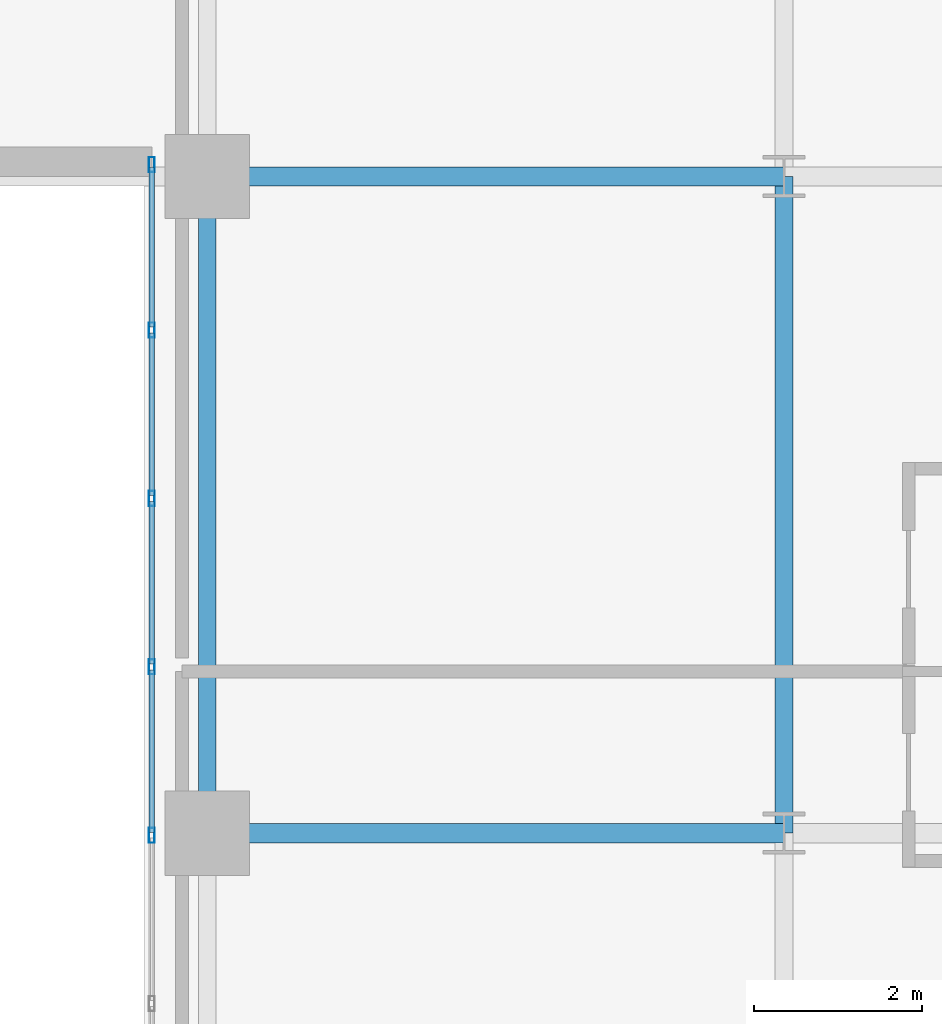
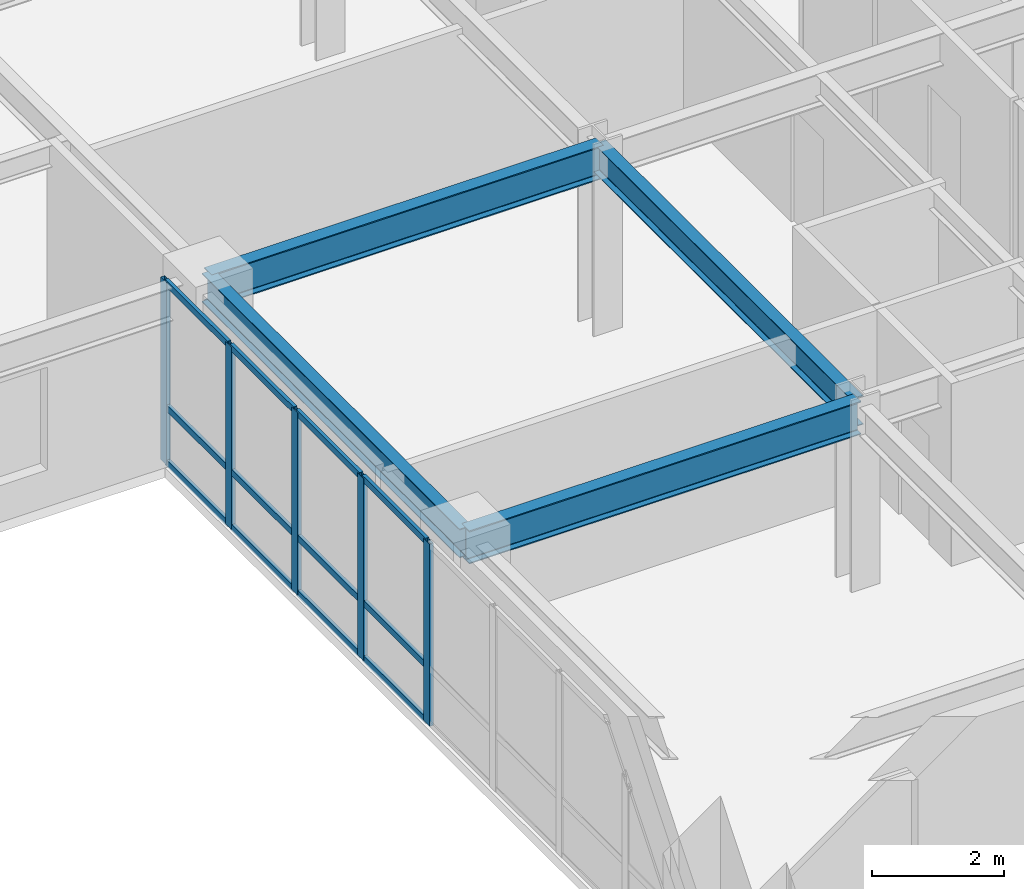
# One storey, part 7 of 16: 17 members, 4 beams, 1 element without a shape of its own.
"""IFC4 building model written with IfcOpenShell, lengths in metres."""

from ifc_helpers import new_model, si_unit, direction, frame, origin, origin_2d, place, context, subcontext, project, spatial, hollow_rectangle, i_section, extrude, source, transform, mapped, material, layer, layer_set, material_profile, profile_set, type_object, type_shapes, element, aggregate, save


model = new_model("IFC4")

# Units and contexts
model_context = context("Model", 3, precision=1e-05, world=origin(), true_north=direction((0.0, 1.0)))
body_context = subcontext(model_context, "Body", "Model", "MODEL_VIEW")
ifc_project = project(units=[si_unit("LENGTHUNIT", "METRE"), si_unit("AREAUNIT", "SQUARE_METRE"), si_unit("VOLUMEUNIT", "CUBIC_METRE"), si_unit("PLANEANGLEUNIT", "RADIAN"), si_unit("MASSUNIT", "GRAM", prefix="KILO")], contexts=[model_context])

# Site, building, storey
site_placement = place(None, origin())
site = spatial("IfcSite", under=ifc_project, at=site_placement, CompositionType="ELEMENT")
building_placement = place(site_placement, origin())
building = spatial("IfcBuilding", under=site, at=building_placement, Name="Tolvann Quenvar Hotel", CompositionType="ELEMENT")
storey_placement = place(building_placement, frame((0.0, 0.0, 63.949951171875)))
storey = spatial("IfcBuildingStorey", under=building, at=storey_placement, Name="L15", CompositionType="ELEMENT", Elevation=63.949951171875)

# Beams
ifc_material_1 = material(Name="Steel Grade 350", Category="steel")
ifc_material_profile_1 = material_profile(ifc_material_1, i_section(OverallWidth=0.22900390625, OverallDepth=0.612060546875, WebThickness=0.011962890625, FlangeThickness=0.01953125, FilletRadius=0.013916015625, at=origin_2d()), Name="610UB125")
ifc_profile_set_1 = profile_set([ifc_material_profile_1], Name="Steel Grade 350")
beam_type_1 = type_object("IfcBeamType", Name="BM_GIRD_610UB125", PredefinedType="BEAM", material=ifc_profile_set_1)
shared_shape_1 = source(origin(), body_context, "Body", "SweptSolid", [
    extrude(i_section(OverallWidth=0.22900390625, OverallDepth=0.612060546875, WebThickness=0.011962890625, FlangeThickness=0.01953125, FilletRadius=0.013916015625, at=origin_2d()), origin(), (0.0, 0.0, 1.0), 6.85009765625),
])
type_shapes(beam_type_1, [shared_shape_1])
for number, where, z_axis, x_axis, name in (
    (1, (34.949951171875, 8.199951171875, 3.06396484375), (1.0, 0.0, 0.0), (0.0, 1.0, 0.0), "BM-L15-EW-3-F3-H3"),
    (2, (34.949951171875, 16.0, 3.06396484375), (1.0, 0.0, 0.0), (0.0, 1.0, 0.0), "BM-L15-EW-4-F4-H4"),
):
    element("IfcBeam", number, at=place(storey_placement, frame(where, z_axis=z_axis, x_axis=x_axis)), inside=storey, type_object=beam_type_1, Name=name, PredefinedType="BEAM", context=body_context, shape_type="MappedRepresentation", body=[
        mapped(shared_shape_1, transform((0.0, 0.0, 0.0), x_axis=(1.0, 0.0, 0.0), y_axis=(0.0, 1.0, 0.0), z_axis=(0.0, 0.0, 1.0), scale=1.0)),
    ])
ifc_material_profile_2 = material_profile(ifc_material_1, i_section(OverallWidth=0.208984375, OverallDepth=0.532958984375, WebThickness=0.01025390625, FlangeThickness=0.015625, FilletRadius=0.013916015625, at=origin_2d()), Name="530UB92")
ifc_profile_set_2 = profile_set([ifc_material_profile_2], Name="Steel Grade 350")
beam_type_2 = type_object("IfcBeamType", Name="BM_GIRD_530UB92", PredefinedType="BEAM", material=ifc_profile_set_2)
shared_shape_2 = source(origin(), body_context, "Body", "SweptSolid", [
    extrude(i_section(OverallWidth=0.208984375, OverallDepth=0.532958984375, WebThickness=0.01025390625, FlangeThickness=0.015625, FilletRadius=0.013916015625, at=origin_2d()), origin(), (0.0, 0.0, 1.0), 7.800048828125),
])
type_shapes(beam_type_2, [shared_shape_2])
for number, where, z_axis, x_axis, name in (
    (3, (34.949951171875, 8.199951171875, 3.103515625), (0.0, 1.0, 0.0), (-1.0, 0.0, 0.0), "BM-L15-NS-F3-F4"),
    (4, (41.800048828125, 8.199951171875, 3.103515625), (0.0, 1.0, 0.0), (-1.0, 0.0, 0.0), "BM-L15-NS-H3-H4"),
):
    element("IfcBeam", number, at=place(storey_placement, frame(where, z_axis=z_axis, x_axis=x_axis)), inside=storey, type_object=beam_type_2, Name=name, PredefinedType="BEAM", context=body_context, shape_type="MappedRepresentation", body=[
        mapped(shared_shape_2, transform((0.0, 0.0, 0.0), x_axis=(1.0, 0.0, 0.0), y_axis=(0.0, 1.0, 0.0), z_axis=(0.0, 0.0, 1.0), scale=1.0)),
    ])

# Curtain wall, members
ifc_material_2 = material(Name="Thermally broken anodised architectural aluminium 6063-T6 and laminated low-E glass", Category="aluminium")
ifc_layer = layer(ifc_material_2, 0.179931640625)
ifc_layer_set = layer_set([ifc_layer], Name="Thermally broken anodised architectural aluminium 6063-T6 and laminated low-E glass")
curtain_wall_type = type_object("IfcCurtainWallType", Name="CW_SYS_SLOT_03", PredefinedType="USERDEFINED", material=ifc_layer_set)
curtain_wall_placement = place(storey_placement, origin())
curtain_wall = element("IfcCurtainWall", 5, at=curtain_wall_placement, inside=storey, type_object=curtain_wall_type, Name="Curtain Wall CW-SLOT-03 (CWR-L15-E07)", ObjectType="UNITISED CURTAIN WALL", PredefinedType="USERDEFINED")
ifc_material_3 = material(Name="Anodised architectural aluminium 6063-T6 framing", Category="aluminium")
ifc_material_profile_3 = material_profile(ifc_material_3, hollow_rectangle(XDim=0.070068359375, YDim=0.179931640625, WallThickness=0.00390625, at=origin_2d()), Name="180x70x4RHS")
ifc_profile_set_3 = profile_set([ifc_material_profile_3], Name="Anodised architectural aluminium 6063-T6 framing")
member_type_1 = type_object("IfcMemberType", Name="CW_MULL_180x70", PredefinedType="MULLION", material=ifc_profile_set_3)
shared_shape_3 = source(origin(), body_context, "Body", "SweptSolid", [
    extrude(hollow_rectangle(XDim=0.070068359375, YDim=0.179931640625, WallThickness=0.00390625, at=origin_2d()), origin(), (0.0, 0.0, 1.0), 3.3701171875),
])
type_shapes(member_type_1, [shared_shape_3])
member_1_placement = place(storey_placement, frame((34.2900390625, 16.139892578125, 0.0), z_axis=(0.0, 0.0, 1.0), x_axis=(1.0, 0.0, 0.0)))
member_1 = element("IfcMember", 6, at=member_1_placement, type_object=member_type_1, Name="CW-SLOT-03 mullion 1", PredefinedType="MULLION", context=body_context, shape_type="MappedRepresentation", body=[
    mapped(shared_shape_3, transform((0.0, 0.0, 0.0), x_axis=(1.0, 0.0, 0.0), y_axis=(0.0, 1.0, 0.0), z_axis=(0.0, 0.0, 1.0), scale=1.0)),
])
member_2_placement = place(storey_placement, frame((34.2900390625, 14.175048828125, 0.0), z_axis=(0.0, 0.0, 1.0), x_axis=(1.0, 0.0, 0.0)))
member_2 = element("IfcMember", 7, at=member_2_placement, type_object=member_type_1, Name="CW-SLOT-03 mullion 2", PredefinedType="MULLION", context=body_context, shape_type="MappedRepresentation", body=[
    mapped(shared_shape_3, transform((0.0, 0.0, 0.0), x_axis=(1.0, 0.0, 0.0), y_axis=(0.0, 1.0, 0.0), z_axis=(0.0, 0.0, 1.0), scale=1.0)),
])
member_3_placement = place(storey_placement, frame((34.2900390625, 12.175048828125, 0.0), z_axis=(0.0, 0.0, 1.0), x_axis=(1.0, 0.0, 0.0)))
member_3 = element("IfcMember", 8, at=member_3_placement, type_object=member_type_1, Name="CW-SLOT-03 mullion 3", PredefinedType="MULLION", context=body_context, shape_type="MappedRepresentation", body=[
    mapped(shared_shape_3, transform((0.0, 0.0, 0.0), x_axis=(1.0, 0.0, 0.0), y_axis=(0.0, 1.0, 0.0), z_axis=(0.0, 0.0, 1.0), scale=1.0)),
])
member_4_placement = place(storey_placement, frame((34.2900390625, 10.175048828125, 0.0), z_axis=(0.0, 0.0, 1.0), x_axis=(1.0, 0.0, 0.0)))
member_4 = element("IfcMember", 9, at=member_4_placement, type_object=member_type_1, Name="CW-SLOT-03 mullion 4", PredefinedType="MULLION", context=body_context, shape_type="MappedRepresentation", body=[
    mapped(shared_shape_3, transform((0.0, 0.0, 0.0), x_axis=(1.0, 0.0, 0.0), y_axis=(0.0, 1.0, 0.0), z_axis=(0.0, 0.0, 1.0), scale=1.0)),
])
member_5_placement = place(storey_placement, frame((34.2900390625, 8.175048828125, 0.0), z_axis=(0.0, 0.0, 1.0), x_axis=(1.0, 0.0, 0.0)))
member_5 = element("IfcMember", 10, at=member_5_placement, type_object=member_type_1, Name="CW-SLOT-03 mullion 5", PredefinedType="MULLION", context=body_context, shape_type="MappedRepresentation", body=[
    mapped(shared_shape_3, transform((0.0, 0.0, 0.0), x_axis=(1.0, 0.0, 0.0), y_axis=(0.0, 1.0, 0.0), z_axis=(0.0, 0.0, 1.0), scale=1.0)),
])
ifc_material_profile_4 = material_profile(ifc_material_3, hollow_rectangle(XDim=0.06005859375, YDim=0.1201171875, WallThickness=0.00341796875, at=origin_2d()), Name="120x60x3.5RHS")
ifc_profile_set_4 = profile_set([ifc_material_profile_4], Name="Anodised architectural aluminium 6063-T6 framing")
member_type_2 = type_object("IfcMemberType", Name="CW_TRAN_120x60", PredefinedType="USERDEFINED", material=ifc_profile_set_4)
shared_shape_4 = source(origin(), body_context, "Body", "SweptSolid", [
    extrude(hollow_rectangle(XDim=0.06005859375, YDim=0.1201171875, WallThickness=0.00341796875, at=origin_2d()), origin(), (0.0, 0.0, 1.0), 1.929931640625),
])
member_6_placement = place(storey_placement, frame((34.2900390625, 14.139892578125, 0.030029296875), z_axis=(0.0, -1.0, 0.0), x_axis=(1.0, 0.0, 0.0)))
member_6 = element("IfcMember", 11, at=member_6_placement, type_object=member_type_2, Name="CW-SLOT-03 transom 2.1", ObjectType="TRANSOM", PredefinedType="USERDEFINED", context=body_context, shape_type="MappedRepresentation", body=[
    mapped(shared_shape_4, transform((0.0, 0.0, 0.0), x_axis=(1.0, 0.0, 0.0), y_axis=(0.0, 1.0, 0.0), z_axis=(0.0, 0.0, 1.0), scale=1.0)),
])
member_7_placement = place(storey_placement, frame((34.2900390625, 14.139892578125, 1.050048828125), z_axis=(0.0, -1.0, 0.0), x_axis=(1.0, 0.0, 0.0)))
member_7 = element("IfcMember", 12, at=member_7_placement, type_object=member_type_2, Name="CW-SLOT-03 transom 2.2", ObjectType="TRANSOM", PredefinedType="USERDEFINED", context=body_context, shape_type="MappedRepresentation", body=[
    mapped(shared_shape_4, transform((0.0, 0.0, 0.0), x_axis=(1.0, 0.0, 0.0), y_axis=(0.0, 1.0, 0.0), z_axis=(0.0, 0.0, 1.0), scale=1.0)),
])
member_8_placement = place(storey_placement, frame((34.2900390625, 14.139892578125, 3.340087890625), z_axis=(0.0, -1.0, 0.0), x_axis=(1.0, 0.0, 0.0)))
member_8 = element("IfcMember", 13, at=member_8_placement, type_object=member_type_2, Name="CW-SLOT-03 transom 2.3", ObjectType="TRANSOM", PredefinedType="USERDEFINED", context=body_context, shape_type="MappedRepresentation", body=[
    mapped(shared_shape_4, transform((0.0, 0.0, 0.0), x_axis=(1.0, 0.0, 0.0), y_axis=(0.0, 1.0, 0.0), z_axis=(0.0, 0.0, 1.0), scale=1.0)),
])
member_9_placement = place(storey_placement, frame((34.2900390625, 12.139892578125, 0.030029296875), z_axis=(0.0, -1.0, 0.0), x_axis=(1.0, 0.0, 0.0)))
member_9 = element("IfcMember", 14, at=member_9_placement, type_object=member_type_2, Name="CW-SLOT-03 transom 3.1", ObjectType="TRANSOM", PredefinedType="USERDEFINED", context=body_context, shape_type="MappedRepresentation", body=[
    mapped(shared_shape_4, transform((0.0, 0.0, 0.0), x_axis=(1.0, 0.0, 0.0), y_axis=(0.0, 1.0, 0.0), z_axis=(0.0, 0.0, 1.0), scale=1.0)),
])
member_10_placement = place(storey_placement, frame((34.2900390625, 12.139892578125, 1.050048828125), z_axis=(0.0, -1.0, 0.0), x_axis=(1.0, 0.0, 0.0)))
member_10 = element("IfcMember", 15, at=member_10_placement, type_object=member_type_2, Name="CW-SLOT-03 transom 3.2", ObjectType="TRANSOM", PredefinedType="USERDEFINED", context=body_context, shape_type="MappedRepresentation", body=[
    mapped(shared_shape_4, transform((0.0, 0.0, 0.0), x_axis=(1.0, 0.0, 0.0), y_axis=(0.0, 1.0, 0.0), z_axis=(0.0, 0.0, 1.0), scale=1.0)),
])
member_11_placement = place(storey_placement, frame((34.2900390625, 12.139892578125, 3.340087890625), z_axis=(0.0, -1.0, 0.0), x_axis=(1.0, 0.0, 0.0)))
member_11 = element("IfcMember", 16, at=member_11_placement, type_object=member_type_2, Name="CW-SLOT-03 transom 3.3", ObjectType="TRANSOM", PredefinedType="USERDEFINED", context=body_context, shape_type="MappedRepresentation", body=[
    mapped(shared_shape_4, transform((0.0, 0.0, 0.0), x_axis=(1.0, 0.0, 0.0), y_axis=(0.0, 1.0, 0.0), z_axis=(0.0, 0.0, 1.0), scale=1.0)),
])
member_12_placement = place(storey_placement, frame((34.2900390625, 10.139892578125, 0.030029296875), z_axis=(0.0, -1.0, 0.0), x_axis=(1.0, 0.0, 0.0)))
member_12 = element("IfcMember", 17, at=member_12_placement, type_object=member_type_2, Name="CW-SLOT-03 transom 4.1", ObjectType="TRANSOM", PredefinedType="USERDEFINED", context=body_context, shape_type="MappedRepresentation", body=[
    mapped(shared_shape_4, transform((0.0, 0.0, 0.0), x_axis=(1.0, 0.0, 0.0), y_axis=(0.0, 1.0, 0.0), z_axis=(0.0, 0.0, 1.0), scale=1.0)),
])
member_13_placement = place(storey_placement, frame((34.2900390625, 10.139892578125, 1.050048828125), z_axis=(0.0, -1.0, 0.0), x_axis=(1.0, 0.0, 0.0)))
member_13 = element("IfcMember", 18, at=member_13_placement, type_object=member_type_2, Name="CW-SLOT-03 transom 4.2", ObjectType="TRANSOM", PredefinedType="USERDEFINED", context=body_context, shape_type="MappedRepresentation", body=[
    mapped(shared_shape_4, transform((0.0, 0.0, 0.0), x_axis=(1.0, 0.0, 0.0), y_axis=(0.0, 1.0, 0.0), z_axis=(0.0, 0.0, 1.0), scale=1.0)),
])
member_14_placement = place(storey_placement, frame((34.2900390625, 10.139892578125, 3.340087890625), z_axis=(0.0, -1.0, 0.0), x_axis=(1.0, 0.0, 0.0)))
member_14 = element("IfcMember", 19, at=member_14_placement, type_object=member_type_2, Name="CW-SLOT-03 transom 4.3", ObjectType="TRANSOM", PredefinedType="USERDEFINED", context=body_context, shape_type="MappedRepresentation", body=[
    mapped(shared_shape_4, transform((0.0, 0.0, 0.0), x_axis=(1.0, 0.0, 0.0), y_axis=(0.0, 1.0, 0.0), z_axis=(0.0, 0.0, 1.0), scale=1.0)),
])
shared_shape_5 = source(origin(), body_context, "Body", "SweptSolid", [
    extrude(hollow_rectangle(XDim=0.06005859375, YDim=0.1201171875, WallThickness=0.00341796875, at=origin_2d()), origin(), (0.0, 0.0, 1.0), 1.89501953125),
])
type_shapes(member_type_2, [shared_shape_4, shared_shape_5])
member_15_placement = place(storey_placement, frame((34.2900390625, 16.10498046875, 0.030029296875), z_axis=(0.0, -1.0, 0.0), x_axis=(1.0, 0.0, 0.0)))
member_15 = element("IfcMember", 20, at=member_15_placement, type_object=member_type_2, Name="CW-SLOT-03 transom 1.1", ObjectType="TRANSOM", PredefinedType="USERDEFINED", context=body_context, shape_type="MappedRepresentation", body=[
    mapped(shared_shape_5, transform((0.0, 0.0, 0.0), x_axis=(1.0, 0.0, 0.0), y_axis=(0.0, 1.0, 0.0), z_axis=(0.0, 0.0, 1.0), scale=1.0)),
])
member_16_placement = place(storey_placement, frame((34.2900390625, 16.10498046875, 1.050048828125), z_axis=(0.0, -1.0, 0.0), x_axis=(1.0, 0.0, 0.0)))
member_16 = element("IfcMember", 21, at=member_16_placement, type_object=member_type_2, Name="CW-SLOT-03 transom 1.2", ObjectType="TRANSOM", PredefinedType="USERDEFINED", context=body_context, shape_type="MappedRepresentation", body=[
    mapped(shared_shape_5, transform((0.0, 0.0, 0.0), x_axis=(1.0, 0.0, 0.0), y_axis=(0.0, 1.0, 0.0), z_axis=(0.0, 0.0, 1.0), scale=1.0)),
])
member_17_placement = place(storey_placement, frame((34.2900390625, 16.10498046875, 3.340087890625), z_axis=(0.0, -1.0, 0.0), x_axis=(1.0, 0.0, 0.0)))
member_17 = element("IfcMember", 22, at=member_17_placement, type_object=member_type_2, Name="CW-SLOT-03 transom 1.3", ObjectType="TRANSOM", PredefinedType="USERDEFINED", context=body_context, shape_type="MappedRepresentation", body=[
    mapped(shared_shape_5, transform((0.0, 0.0, 0.0), x_axis=(1.0, 0.0, 0.0), y_axis=(0.0, 1.0, 0.0), z_axis=(0.0, 0.0, 1.0), scale=1.0)),
])
aggregate(curtain_wall, [member_1, member_2, member_3, member_4, member_5, member_15, member_16, member_17, member_6, member_7, member_8, member_9, member_10, member_11, member_12, member_13, member_14])

save(model, "model.ifc")
